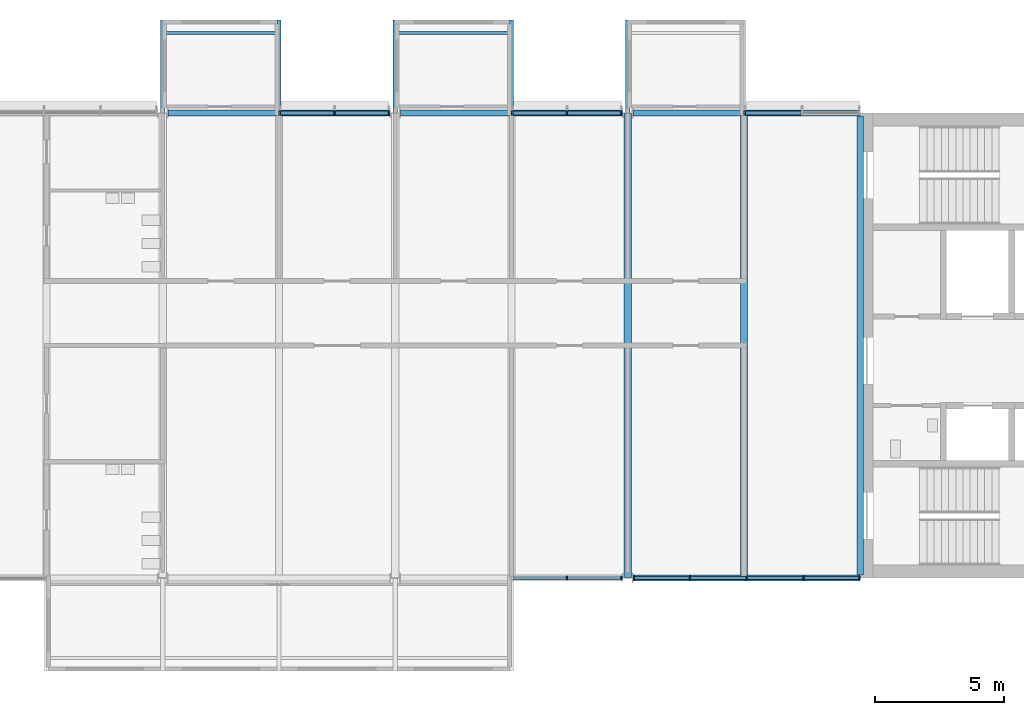
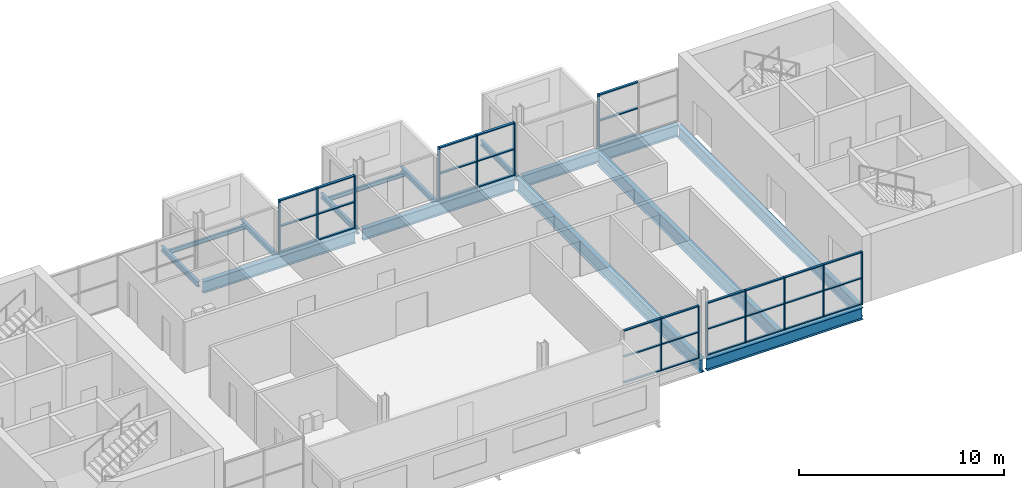
# One storey, part 2 of 11: 47 members, 14 beams, 5 elements without a shape of their own.
"""IFC4 building model written with IfcOpenShell, lengths in metres."""

from ifc_helpers import new_model, si_unit, direction, frame, origin, origin_2d, place, context, subcontext, project, spatial, rectangle, i_section, extrude, material, layer, layer_set, material_profile, profile_set, type_object, element, aggregate, save


model = new_model("IFC4")

# Units and contexts
model_context = context("Model", 3, precision=1e-05, world=origin(), true_north=direction((0.0, 1.0)))
body_context = subcontext(model_context, "Body", "Model", "MODEL_VIEW")
ifc_project = project(units=[si_unit("LENGTHUNIT", "METRE"), si_unit("AREAUNIT", "SQUARE_METRE"), si_unit("VOLUMEUNIT", "CUBIC_METRE"), si_unit("PLANEANGLEUNIT", "RADIAN"), si_unit("MASSUNIT", "GRAM", prefix="KILO")], contexts=[model_context])

# Site, building, storey
site_placement = place(None, origin())
site = spatial("IfcSite", under=ifc_project, at=site_placement, CompositionType="ELEMENT")
building_placement = place(site_placement, origin())
building = spatial("IfcBuilding", under=site, at=building_placement, Name="Corbel Yard City Hall", CompositionType="ELEMENT")
storey_placement = place(building_placement, frame((0.0, 0.0, 35.199951171875)))
storey = spatial("IfcBuildingStorey", under=building, at=storey_placement, Name="L08", CompositionType="ELEMENT", Elevation=35.199951171875)

# Beams
ifc_material_1 = material(Name="Steel Grade 350", Category="steel")
ifc_material_profile_1 = material_profile(ifc_material_1, i_section(OverallWidth=0.25, OverallDepth=0.699951171875, WebThickness=0.010009765625, FlangeThickness=0.02001953125, at=origin_2d()), Name="700WB130")
ifc_profile_set_1 = profile_set([ifc_material_profile_1], Name="Steel Grade 350")
beam_type_1 = type_object("IfcBeamType", Name="Edge beam 700WB130", PredefinedType="BEAM", material=ifc_profile_set_1)
beam_1_placement = place(storey_placement, frame((36.20703125, 99.0, -0.5), z_axis=(1.0, 0.0, 0.0), x_axis=(0.0, 1.0, 0.0)))
element("IfcBeam", 1, at=beam_1_placement, inside=storey, type_object=beam_type_1, Name="Edge beam 700WB130 EB9 L08tower", PredefinedType="BEAM", context=body_context, shape_type="SweptSolid", body=[
    extrude(i_section(OverallWidth=0.25, OverallDepth=0.699951171875, WebThickness=0.010009765625, FlangeThickness=0.02001953125, at=origin_2d()), origin(), (0.0, 0.0, 1.0), 8.79296875),
])
for number, where, z_axis, x_axis, name in (
    (2, (18.20703125, 117.0, -0.5), (1.0, 0.0, 0.0), (0.0, 1.0, 0.0), "Edge beam 700WB130 EB9 L08tower"),
    (3, (27.20703125, 117.0, -0.5), (1.0, 0.0, 0.0), (0.0, 1.0, 0.0), "Edge beam 700WB130 EB9 L08tower"),
):
    element("IfcBeam", number, at=place(storey_placement, frame(where, z_axis=z_axis, x_axis=x_axis)), inside=storey, type_object=beam_type_1, Name=name, PredefinedType="BEAM", context=body_context, shape_type="SweptSolid", body=[
        extrude(i_section(OverallWidth=0.25, OverallDepth=0.699951171875, WebThickness=0.010009765625, FlangeThickness=0.02001953125, at=origin_2d()), origin(), (0.0, 0.0, 1.0), 8.5859375),
    ])
beam_2_placement = place(storey_placement, frame((36.20703125, 117.0, -0.5), z_axis=(1.0, 0.0, 0.0), x_axis=(0.0, 1.0, 0.0)))
element("IfcBeam", 4, at=beam_2_placement, inside=storey, type_object=beam_type_1, Name="Edge beam 700WB130 EB9 L08tower", PredefinedType="BEAM", context=body_context, shape_type="SweptSolid", body=[
    extrude(i_section(OverallWidth=0.25, OverallDepth=0.699951171875, WebThickness=0.010009765625, FlangeThickness=0.02001953125, at=origin_2d()), origin(), (0.0, 0.0, 1.0), 8.79296875),
])
ifc_material_profile_2 = material_profile(ifc_material_1, i_section(OverallWidth=0.27490234375, OverallDepth=0.800048828125, WebThickness=0.010009765625, FlangeThickness=0.02001953125, at=origin_2d()), Name="800WB146")
ifc_profile_set_2 = profile_set([ifc_material_profile_2], Name="Steel Grade 350")
beam_type_2 = type_object("IfcBeamType", Name="Long-span beam 800WB146", PredefinedType="BEAM", material=ifc_profile_set_2)
beam_3_placement = place(storey_placement, frame((36.0, 99.012451171875, -0.550048828125), z_axis=(0.0, 1.0, 0.0), x_axis=(-1.0, 0.0, 0.0)))
element("IfcBeam", 5, at=beam_3_placement, inside=storey, type_object=beam_type_2, Name="Long-span beam 800WB146 SB8 L08tower", PredefinedType="BEAM", context=body_context, shape_type="SweptSolid", body=[
    extrude(i_section(OverallWidth=0.27490234375, OverallDepth=0.800048828125, WebThickness=0.010009765625, FlangeThickness=0.02001953125, at=origin_2d()), origin(), (0.0, 0.0, 1.0), 17.97509765625),
])
ifc_material_profile_3 = material_profile(ifc_material_1, i_section(OverallWidth=0.25, OverallDepth=0.7099609375, WebThickness=0.010009765625, FlangeThickness=0.02490234375, at=origin_2d()), Name="700WB150")
ifc_profile_set_3 = profile_set([ifc_material_profile_3], Name="Steel Grade 350")
beam_type_3 = type_object("IfcBeamType", Name="Long-span edge beam 700WB150", PredefinedType="BEAM", material=ifc_profile_set_3)
beam_4_placement = place(storey_placement, frame((45.0, 99.125, -0.5048828125), z_axis=(0.0, 1.0, 0.0), x_axis=(-1.0, 0.0, 0.0)))
element("IfcBeam", 6, at=beam_4_placement, inside=storey, type_object=beam_type_3, Name="Long-span edge beam 700WB150 EB8 L08tower", PredefinedType="BEAM", context=body_context, shape_type="SweptSolid", body=[
    extrude(i_section(OverallWidth=0.25, OverallDepth=0.7099609375, WebThickness=0.010009765625, FlangeThickness=0.02490234375, at=origin_2d()), origin(), (0.0, 0.0, 1.0), 17.75),
])
ifc_material_profile_4 = material_profile(ifc_material_1, i_section(OverallWidth=0.27490234375, OverallDepth=0.800048828125, WebThickness=0.010009765625, FlangeThickness=0.02001953125, at=origin_2d()), Name="800WB146")
ifc_profile_set_4 = profile_set([ifc_material_profile_4], Name="Steel Grade 350")
beam_type_4 = type_object("IfcBeamType", Name="Long-span secondary beam 800WB146", PredefinedType="JOIST", material=ifc_profile_set_4)
beam_5_placement = place(storey_placement, frame((40.5, 99.125, -0.550048828125), z_axis=(0.0, 1.0, 0.0), x_axis=(-1.0, 0.0, 0.0)))
element("IfcBeam", 7, at=beam_5_placement, inside=storey, type_object=beam_type_4, Name="Long-span secondary beam 800WB146 SB7 L08tower", PredefinedType="JOIST", context=body_context, shape_type="SweptSolid", body=[
    extrude(i_section(OverallWidth=0.27490234375, OverallDepth=0.800048828125, WebThickness=0.010009765625, FlangeThickness=0.02001953125, at=origin_2d()), origin(), (0.0, 0.0, 1.0), 17.75),
])

# Curtain wall, members
ifc_material_2 = material(Name="Aluminium extrusion", Category="aluminium")
ifc_layer_1 = layer(ifc_material_2, 0.14990234375)
ifc_layer_set_1 = layer_set([ifc_layer_1], Name="Aluminium extrusion")
curtain_wall_type_1 = type_object("IfcCurtainWallType", Name="CW2", PredefinedType="USERDEFINED", material=ifc_layer_set_1)
curtain_wall_1_placement = place(storey_placement, origin())
curtain_wall_1 = element("IfcCurtainWall", 8, at=curtain_wall_1_placement, inside=storey, type_object=curtain_wall_type_1, Name="Curtain wall CW2 L08", ObjectType="CURTAIN WALL", PredefinedType="USERDEFINED")
ifc_material_profile_5 = material_profile(ifc_material_2, rectangle(XDim=0.14990234375, YDim=0.06494140625, at=origin_2d()), Name="150x65")
ifc_profile_set_5 = profile_set([ifc_material_profile_5], Name="Aluminium extrusion")
member_type_1 = type_object("IfcMemberType", Name="ML2", PredefinedType="MULLION", material=ifc_profile_set_5)
member_1_placement = place(storey_placement, frame((33.646484375, 99.0, 0.0), z_axis=(0.0, 0.0, 1.0), x_axis=(0.0, 1.0, 0.0)))
member_1 = element("IfcMember", 9, at=member_1_placement, type_object=member_type_1, Name="CW2 mullion 2", PredefinedType="MULLION", context=body_context, shape_type="SweptSolid", body=[
    extrude(rectangle(XDim=0.14990234375, YDim=0.06494140625, at=origin_2d()), origin(), (0.0, 0.0, 1.0), 3.150146484375),
])
member_2_placement = place(storey_placement, frame((35.760498046875, 99.0, 0.0), z_axis=(0.0, 0.0, 1.0), x_axis=(0.0, 1.0, 0.0)))
member_2 = element("IfcMember", 10, at=member_2_placement, type_object=member_type_1, Name="CW2 mullion 3", PredefinedType="MULLION", context=body_context, shape_type="SweptSolid", body=[
    extrude(rectangle(XDim=0.14990234375, YDim=0.06494140625, at=origin_2d()), origin(), (0.0, 0.0, 1.0), 3.150146484375),
])

curtain_wall_2_placement = place(storey_placement, origin())
curtain_wall_2 = element("IfcCurtainWall", 11, at=curtain_wall_2_placement, inside=storey, type_object=curtain_wall_type_1, Name="Curtain wall CW2 L08", ObjectType="CURTAIN WALL", PredefinedType="USERDEFINED")
member_3_placement = place(storey_placement, frame((36.239501953125, 99.0, 0.0), z_axis=(0.0, 0.0, 1.0), x_axis=(0.0, 1.0, 0.0)))
member_3 = element("IfcMember", 12, at=member_3_placement, type_object=member_type_1, Name="CW2 mullion 1", PredefinedType="MULLION", context=body_context, shape_type="SweptSolid", body=[
    extrude(rectangle(XDim=0.14990234375, YDim=0.06494140625, at=origin_2d()), origin(), (0.0, 0.0, 1.0), 3.150146484375),
])
member_4_placement = place(storey_placement, frame((38.4052734375, 99.0, 0.0), z_axis=(0.0, 0.0, 1.0), x_axis=(0.0, 1.0, 0.0)))
member_4 = element("IfcMember", 13, at=member_4_placement, type_object=member_type_1, Name="CW2 mullion 2", PredefinedType="MULLION", context=body_context, shape_type="SweptSolid", body=[
    extrude(rectangle(XDim=0.14990234375, YDim=0.06494140625, at=origin_2d()), origin(), (0.0, 0.0, 1.0), 3.150146484375),
])
member_5_placement = place(storey_placement, frame((40.603515625, 99.0, 0.0), z_axis=(0.0, 0.0, 1.0), x_axis=(0.0, 1.0, 0.0)))
member_5 = element("IfcMember", 14, at=member_5_placement, type_object=member_type_1, Name="CW2 mullion 3", PredefinedType="MULLION", context=body_context, shape_type="SweptSolid", body=[
    extrude(rectangle(XDim=0.14990234375, YDim=0.06494140625, at=origin_2d()), origin(), (0.0, 0.0, 1.0), 3.150146484375),
])
member_6_placement = place(storey_placement, frame((42.8017578125, 99.0, 0.0), z_axis=(0.0, 0.0, 1.0), x_axis=(0.0, 1.0, 0.0)))
member_6 = element("IfcMember", 15, at=member_6_placement, type_object=member_type_1, Name="CW2 mullion 4", PredefinedType="MULLION", context=body_context, shape_type="SweptSolid", body=[
    extrude(rectangle(XDim=0.14990234375, YDim=0.06494140625, at=origin_2d()), origin(), (0.0, 0.0, 1.0), 3.150146484375),
])
member_7_placement = place(storey_placement, frame((44.967529296875, 99.0, 0.0), z_axis=(0.0, 0.0, 1.0), x_axis=(0.0, 1.0, 0.0)))
member_7 = element("IfcMember", 16, at=member_7_placement, type_object=member_type_1, Name="CW2 mullion 5", PredefinedType="MULLION", context=body_context, shape_type="SweptSolid", body=[
    extrude(rectangle(XDim=0.14990234375, YDim=0.06494140625, at=origin_2d()), origin(), (0.0, 0.0, 1.0), 3.150146484375),
])

ifc_layer_2 = layer(ifc_material_2, 0.179931640625)
ifc_layer_set_2 = layer_set([ifc_layer_2], Name="Aluminium extrusion")
curtain_wall_type_2 = type_object("IfcCurtainWallType", Name="CW6", PredefinedType="USERDEFINED", material=ifc_layer_set_2)
curtain_wall_3_placement = place(storey_placement, origin())
curtain_wall_3 = element("IfcCurtainWall", 17, at=curtain_wall_3_placement, inside=storey, type_object=curtain_wall_type_2, Name="Curtain wall CW6 L08", ObjectType="CURTAIN WALL", PredefinedType="USERDEFINED")
ifc_material_profile_6 = material_profile(ifc_material_2, rectangle(XDim=0.179931640625, YDim=0.06494140625, at=origin_2d()), Name="180x65")
ifc_profile_set_6 = profile_set([ifc_material_profile_6], Name="Aluminium extrusion")
member_type_2 = type_object("IfcMemberType", Name="ML6", PredefinedType="MULLION", material=ifc_profile_set_6)
member_8_placement = place(storey_placement, frame((22.532470703125, 117.0, 0.0), z_axis=(0.0, 0.0, 1.0), x_axis=(0.0, 1.0, 0.0)))
member_8 = element("IfcMember", 18, at=member_8_placement, type_object=member_type_2, Name="CW6 mullion 1", PredefinedType="MULLION", context=body_context, shape_type="SweptSolid", body=[
    extrude(rectangle(XDim=0.179931640625, YDim=0.06494140625, at=origin_2d()), origin(), (0.0, 0.0, 1.0), 3.150146484375),
])
member_9_placement = place(storey_placement, frame((24.646484375, 117.0, 0.0), z_axis=(0.0, 0.0, 1.0), x_axis=(0.0, 1.0, 0.0)))
member_9 = element("IfcMember", 19, at=member_9_placement, type_object=member_type_2, Name="CW6 mullion 2", PredefinedType="MULLION", context=body_context, shape_type="SweptSolid", body=[
    extrude(rectangle(XDim=0.179931640625, YDim=0.06494140625, at=origin_2d()), origin(), (0.0, 0.0, 1.0), 3.150146484375),
])
member_10_placement = place(storey_placement, frame((26.760498046875, 117.0, 0.0), z_axis=(0.0, 0.0, 1.0), x_axis=(0.0, 1.0, 0.0)))
member_10 = element("IfcMember", 20, at=member_10_placement, type_object=member_type_2, Name="CW6 mullion 3", PredefinedType="MULLION", context=body_context, shape_type="SweptSolid", body=[
    extrude(rectangle(XDim=0.179931640625, YDim=0.06494140625, at=origin_2d()), origin(), (0.0, 0.0, 1.0), 3.150146484375),
])

curtain_wall_4_placement = place(storey_placement, origin())
curtain_wall_4 = element("IfcCurtainWall", 21, at=curtain_wall_4_placement, inside=storey, type_object=curtain_wall_type_2, Name="Curtain wall CW6 L08", ObjectType="CURTAIN WALL", PredefinedType="USERDEFINED")
member_11_placement = place(storey_placement, frame((31.532470703125, 117.0, 0.0), z_axis=(0.0, 0.0, 1.0), x_axis=(0.0, 1.0, 0.0)))
member_11 = element("IfcMember", 22, at=member_11_placement, type_object=member_type_2, Name="CW6 mullion 1", PredefinedType="MULLION", context=body_context, shape_type="SweptSolid", body=[
    extrude(rectangle(XDim=0.179931640625, YDim=0.06494140625, at=origin_2d()), origin(), (0.0, 0.0, 1.0), 3.150146484375),
])
member_12_placement = place(storey_placement, frame((33.646484375, 117.0, 0.0), z_axis=(0.0, 0.0, 1.0), x_axis=(0.0, 1.0, 0.0)))
member_12 = element("IfcMember", 23, at=member_12_placement, type_object=member_type_2, Name="CW6 mullion 2", PredefinedType="MULLION", context=body_context, shape_type="SweptSolid", body=[
    extrude(rectangle(XDim=0.179931640625, YDim=0.06494140625, at=origin_2d()), origin(), (0.0, 0.0, 1.0), 3.150146484375),
])
member_13_placement = place(storey_placement, frame((35.760498046875, 117.0, 0.0), z_axis=(0.0, 0.0, 1.0), x_axis=(0.0, 1.0, 0.0)))
member_13 = element("IfcMember", 24, at=member_13_placement, type_object=member_type_2, Name="CW6 mullion 3", PredefinedType="MULLION", context=body_context, shape_type="SweptSolid", body=[
    extrude(rectangle(XDim=0.179931640625, YDim=0.06494140625, at=origin_2d()), origin(), (0.0, 0.0, 1.0), 3.150146484375),
])

# Curtain wall, member
curtain_wall_5_placement = place(storey_placement, origin())
curtain_wall_5 = element("IfcCurtainWall", 25, at=curtain_wall_5_placement, inside=storey, type_object=curtain_wall_type_2, Name="Curtain wall CW6 L08", ObjectType="CURTAIN WALL", PredefinedType="USERDEFINED")
member_14_placement = place(storey_placement, frame((40.532470703125, 117.0, 0.0), z_axis=(0.0, 0.0, 1.0), x_axis=(0.0, 1.0, 0.0)))
member_14 = element("IfcMember", 26, at=member_14_placement, type_object=member_type_2, Name="CW6 mullion 1", PredefinedType="MULLION", context=body_context, shape_type="SweptSolid", body=[
    extrude(rectangle(XDim=0.179931640625, YDim=0.06494140625, at=origin_2d()), origin(), (0.0, 0.0, 1.0), 3.150146484375),
])

# Beams
ifc_material_3 = material(Name="Steel Grade 300 (300 MPa yield)", Category="steel")
ifc_material_profile_7 = material_profile(ifc_material_3, i_section(OverallWidth=0.166015625, OverallDepth=0.306884765625, WebThickness=0.006591796875, FlangeThickness=0.01171875, at=origin_2d()), Name="310UB46.2")
ifc_profile_set_7 = profile_set([ifc_material_profile_7], Name="Steel Grade 300 (300 MPa yield)")
beam_type_5 = type_object("IfcBeamType", Name="Pod stub beam 310UB46.2", PredefinedType="BEAM", material=ifc_profile_set_7)
beam_6_placement = place(storey_placement, frame((18.0, 117.012451171875, -0.303466796875), z_axis=(0.0, 1.0, 0.0), x_axis=(-1.0, 0.0, 0.0)))
element("IfcBeam", 27, at=beam_6_placement, inside=storey, type_object=beam_type_5, Name="Pod stub 310UB46.2 CB1 L08", PredefinedType="BEAM", context=body_context, shape_type="SweptSolid", body=[
    extrude(i_section(OverallWidth=0.166015625, OverallDepth=0.306884765625, WebThickness=0.006591796875, FlangeThickness=0.01171875, at=origin_2d()), origin(), (0.0, 0.0, 1.0), 3.587646484375),
])
beam_7_placement = place(storey_placement, frame((22.5, 117.125, -0.303466796875), z_axis=(0.0, 1.0, 0.0), x_axis=(-1.0, 0.0, 0.0)))
element("IfcBeam", 28, at=beam_7_placement, inside=storey, type_object=beam_type_5, Name="Pod stub 310UB46.2 CB1 L08", PredefinedType="BEAM", context=body_context, shape_type="SweptSolid", body=[
    extrude(i_section(OverallWidth=0.166015625, OverallDepth=0.306884765625, WebThickness=0.006591796875, FlangeThickness=0.01171875, at=origin_2d()), origin(), (0.0, 0.0, 1.0), 3.47509765625),
])
beam_8_placement = place(storey_placement, frame((27.0, 117.012451171875, -0.303466796875), z_axis=(0.0, 1.0, 0.0), x_axis=(-1.0, 0.0, 0.0)))
element("IfcBeam", 29, at=beam_8_placement, inside=storey, type_object=beam_type_5, Name="Pod stub 310UB46.2 CB1 L08", PredefinedType="BEAM", context=body_context, shape_type="SweptSolid", body=[
    extrude(i_section(OverallWidth=0.166015625, OverallDepth=0.306884765625, WebThickness=0.006591796875, FlangeThickness=0.01171875, at=origin_2d()), origin(), (0.0, 0.0, 1.0), 3.587646484375),
])
beam_9_placement = place(storey_placement, frame((31.5, 117.125, -0.303466796875), z_axis=(0.0, 1.0, 0.0), x_axis=(-1.0, 0.0, 0.0)))
element("IfcBeam", 30, at=beam_9_placement, inside=storey, type_object=beam_type_5, Name="Pod stub 310UB46.2 CB1 L08", PredefinedType="BEAM", context=body_context, shape_type="SweptSolid", body=[
    extrude(i_section(OverallWidth=0.166015625, OverallDepth=0.306884765625, WebThickness=0.006591796875, FlangeThickness=0.01171875, at=origin_2d()), origin(), (0.0, 0.0, 1.0), 3.47509765625),
])
beam_10_placement = place(storey_placement, frame((36.0, 117.012451171875, -0.303466796875), z_axis=(0.0, 1.0, 0.0), x_axis=(-1.0, 0.0, 0.0)))
element("IfcBeam", 31, at=beam_10_placement, inside=storey, type_object=beam_type_5, Name="Pod stub 310UB46.2 CB1 L08", PredefinedType="BEAM", context=body_context, shape_type="SweptSolid", body=[
    extrude(i_section(OverallWidth=0.166015625, OverallDepth=0.306884765625, WebThickness=0.006591796875, FlangeThickness=0.01171875, at=origin_2d()), origin(), (0.0, 0.0, 1.0), 3.587646484375),
])
ifc_material_profile_8 = material_profile(ifc_material_3, i_section(OverallWidth=0.1240234375, OverallDepth=0.248046875, WebThickness=0.0048828125, FlangeThickness=0.008056640625, at=origin_2d()), Name="250UB25.7")
ifc_profile_set_8 = profile_set([ifc_material_profile_8], Name="Steel Grade 300 (300 MPa yield)")
beam_type_6 = type_object("IfcBeamType", Name="Pod tip beam", PredefinedType="BEAM", material=ifc_profile_set_8)
for number, where, z_axis, x_axis, name in (
    (32, (18.0830078125, 120.10009765625, -0.27392578125), (1.0, 0.0, 0.0), (0.0, 1.0, 0.0), "Pod tip beam"),
    (33, (27.0830078125, 120.10009765625, -0.27392578125), (1.0, 0.0, 0.0), (0.0, 1.0, 0.0), "Pod tip beam"),
):
    element("IfcBeam", number, at=place(storey_placement, frame(where, z_axis=z_axis, x_axis=x_axis)), inside=storey, type_object=beam_type_6, Name=name, PredefinedType="BEAM", context=body_context, shape_type="SweptSolid", body=[
        extrude(i_section(OverallWidth=0.1240234375, OverallDepth=0.248046875, WebThickness=0.0048828125, FlangeThickness=0.008056640625, at=origin_2d()), origin(), (0.0, 0.0, 1.0), 4.333984375),
    ])

# Member
ifc_material_profile_9 = material_profile(ifc_material_2, rectangle(XDim=0.1201171875, YDim=0.06494140625, at=origin_2d()), Name="120x65")
ifc_profile_set_9 = profile_set([ifc_material_profile_9], Name="Aluminium extrusion")
member_type_3 = type_object("IfcMemberType", Name="TR2", PredefinedType="USERDEFINED", material=ifc_profile_set_9)
member_15_placement = place(storey_placement, frame((31.56494140625, 99.0, 0.032470703125), z_axis=(1.0, 0.0, 0.0), x_axis=(0.0, 1.0, 0.0)))
member_15 = element("IfcMember", 34, at=member_15_placement, type_object=member_type_3, Name="CW2 transom 1.1", ObjectType="TRANSOM", PredefinedType="USERDEFINED", context=body_context, shape_type="SweptSolid", body=[
    extrude(rectangle(XDim=0.1201171875, YDim=0.06494140625, at=origin_2d()), origin(), (0.0, 0.0, 1.0), 2.049072265625),
])

member_16_placement = place(storey_placement, frame((31.56494140625, 99.0, 1.574951171875), z_axis=(1.0, 0.0, 0.0), x_axis=(0.0, 1.0, 0.0)))
member_16 = element("IfcMember", 35, at=member_16_placement, type_object=member_type_3, Name="CW2 transom 1.2", ObjectType="TRANSOM", PredefinedType="USERDEFINED", context=body_context, shape_type="SweptSolid", body=[
    extrude(rectangle(XDim=0.1201171875, YDim=0.06494140625, at=origin_2d()), origin(), (0.0, 0.0, 1.0), 2.049072265625),
])

member_17_placement = place(storey_placement, frame((31.56494140625, 99.0, 3.117431640625), z_axis=(1.0, 0.0, 0.0), x_axis=(0.0, 1.0, 0.0)))
member_17 = element("IfcMember", 36, at=member_17_placement, type_object=member_type_3, Name="CW2 transom 1.3", ObjectType="TRANSOM", PredefinedType="USERDEFINED", context=body_context, shape_type="SweptSolid", body=[
    extrude(rectangle(XDim=0.1201171875, YDim=0.06494140625, at=origin_2d()), origin(), (0.0, 0.0, 1.0), 2.049072265625),
])

member_18_placement = place(storey_placement, frame((33.678955078125, 99.0, 0.032470703125), z_axis=(1.0, 0.0, 0.0), x_axis=(0.0, 1.0, 0.0)))
member_18 = element("IfcMember", 37, at=member_18_placement, type_object=member_type_3, Name="CW2 transom 2.1", ObjectType="TRANSOM", PredefinedType="USERDEFINED", context=body_context, shape_type="SweptSolid", body=[
    extrude(rectangle(XDim=0.1201171875, YDim=0.06494140625, at=origin_2d()), origin(), (0.0, 0.0, 1.0), 2.049072265625),
])

member_19_placement = place(storey_placement, frame((33.678955078125, 99.0, 1.574951171875), z_axis=(1.0, 0.0, 0.0), x_axis=(0.0, 1.0, 0.0)))
member_19 = element("IfcMember", 38, at=member_19_placement, type_object=member_type_3, Name="CW2 transom 2.2", ObjectType="TRANSOM", PredefinedType="USERDEFINED", context=body_context, shape_type="SweptSolid", body=[
    extrude(rectangle(XDim=0.1201171875, YDim=0.06494140625, at=origin_2d()), origin(), (0.0, 0.0, 1.0), 2.049072265625),
])

member_20_placement = place(storey_placement, frame((33.678955078125, 99.0, 3.117431640625), z_axis=(1.0, 0.0, 0.0), x_axis=(0.0, 1.0, 0.0)))
member_20 = element("IfcMember", 39, at=member_20_placement, type_object=member_type_3, Name="CW2 transom 2.3", ObjectType="TRANSOM", PredefinedType="USERDEFINED", context=body_context, shape_type="SweptSolid", body=[
    extrude(rectangle(XDim=0.1201171875, YDim=0.06494140625, at=origin_2d()), origin(), (0.0, 0.0, 1.0), 2.049072265625),
])

aggregate(curtain_wall_1, [member_1, member_2, member_15, member_16, member_17, member_18, member_19, member_20])

member_21_placement = place(storey_placement, frame((36.27197265625, 99.0, 0.032470703125), z_axis=(1.0, 0.0, 0.0), x_axis=(0.0, 1.0, 0.0)))
member_21 = element("IfcMember", 40, at=member_21_placement, type_object=member_type_3, Name="CW2 transom 1.1", ObjectType="TRANSOM", PredefinedType="USERDEFINED", context=body_context, shape_type="SweptSolid", body=[
    extrude(rectangle(XDim=0.1201171875, YDim=0.06494140625, at=origin_2d()), origin(), (0.0, 0.0, 1.0), 2.100830078125),
])

member_22_placement = place(storey_placement, frame((36.27197265625, 99.0, 1.574951171875), z_axis=(1.0, 0.0, 0.0), x_axis=(0.0, 1.0, 0.0)))
member_22 = element("IfcMember", 41, at=member_22_placement, type_object=member_type_3, Name="CW2 transom 1.2", ObjectType="TRANSOM", PredefinedType="USERDEFINED", context=body_context, shape_type="SweptSolid", body=[
    extrude(rectangle(XDim=0.1201171875, YDim=0.06494140625, at=origin_2d()), origin(), (0.0, 0.0, 1.0), 2.100830078125),
])

member_23_placement = place(storey_placement, frame((36.27197265625, 99.0, 3.117431640625), z_axis=(1.0, 0.0, 0.0), x_axis=(0.0, 1.0, 0.0)))
member_23 = element("IfcMember", 42, at=member_23_placement, type_object=member_type_3, Name="CW2 transom 1.3", ObjectType="TRANSOM", PredefinedType="USERDEFINED", context=body_context, shape_type="SweptSolid", body=[
    extrude(rectangle(XDim=0.1201171875, YDim=0.06494140625, at=origin_2d()), origin(), (0.0, 0.0, 1.0), 2.100830078125),
])

member_24_placement = place(storey_placement, frame((38.437744140625, 99.0, 0.032470703125), z_axis=(1.0, 0.0, 0.0), x_axis=(0.0, 1.0, 0.0)))
member_24 = element("IfcMember", 43, at=member_24_placement, type_object=member_type_3, Name="CW2 transom 2.1", ObjectType="TRANSOM", PredefinedType="USERDEFINED", context=body_context, shape_type="SweptSolid", body=[
    extrude(rectangle(XDim=0.1201171875, YDim=0.06494140625, at=origin_2d()), origin(), (0.0, 0.0, 1.0), 2.13330078125),
])

member_25_placement = place(storey_placement, frame((38.437744140625, 99.0, 1.574951171875), z_axis=(1.0, 0.0, 0.0), x_axis=(0.0, 1.0, 0.0)))
member_25 = element("IfcMember", 44, at=member_25_placement, type_object=member_type_3, Name="CW2 transom 2.2", ObjectType="TRANSOM", PredefinedType="USERDEFINED", context=body_context, shape_type="SweptSolid", body=[
    extrude(rectangle(XDim=0.1201171875, YDim=0.06494140625, at=origin_2d()), origin(), (0.0, 0.0, 1.0), 2.13330078125),
])

member_26_placement = place(storey_placement, frame((38.437744140625, 99.0, 3.117431640625), z_axis=(1.0, 0.0, 0.0), x_axis=(0.0, 1.0, 0.0)))
member_26 = element("IfcMember", 45, at=member_26_placement, type_object=member_type_3, Name="CW2 transom 2.3", ObjectType="TRANSOM", PredefinedType="USERDEFINED", context=body_context, shape_type="SweptSolid", body=[
    extrude(rectangle(XDim=0.1201171875, YDim=0.06494140625, at=origin_2d()), origin(), (0.0, 0.0, 1.0), 2.13330078125),
])

member_27_placement = place(storey_placement, frame((40.635986328125, 99.0, 0.032470703125), z_axis=(1.0, 0.0, 0.0), x_axis=(0.0, 1.0, 0.0)))
member_27 = element("IfcMember", 46, at=member_27_placement, type_object=member_type_3, Name="CW2 transom 3.1", ObjectType="TRANSOM", PredefinedType="USERDEFINED", context=body_context, shape_type="SweptSolid", body=[
    extrude(rectangle(XDim=0.1201171875, YDim=0.06494140625, at=origin_2d()), origin(), (0.0, 0.0, 1.0), 2.13330078125),
])

member_28_placement = place(storey_placement, frame((40.635986328125, 99.0, 1.574951171875), z_axis=(1.0, 0.0, 0.0), x_axis=(0.0, 1.0, 0.0)))
member_28 = element("IfcMember", 47, at=member_28_placement, type_object=member_type_3, Name="CW2 transom 3.2", ObjectType="TRANSOM", PredefinedType="USERDEFINED", context=body_context, shape_type="SweptSolid", body=[
    extrude(rectangle(XDim=0.1201171875, YDim=0.06494140625, at=origin_2d()), origin(), (0.0, 0.0, 1.0), 2.13330078125),
])

member_29_placement = place(storey_placement, frame((40.635986328125, 99.0, 3.117431640625), z_axis=(1.0, 0.0, 0.0), x_axis=(0.0, 1.0, 0.0)))
member_29 = element("IfcMember", 48, at=member_29_placement, type_object=member_type_3, Name="CW2 transom 3.3", ObjectType="TRANSOM", PredefinedType="USERDEFINED", context=body_context, shape_type="SweptSolid", body=[
    extrude(rectangle(XDim=0.1201171875, YDim=0.06494140625, at=origin_2d()), origin(), (0.0, 0.0, 1.0), 2.13330078125),
])

member_30_placement = place(storey_placement, frame((42.834228515625, 99.0, 0.032470703125), z_axis=(1.0, 0.0, 0.0), x_axis=(0.0, 1.0, 0.0)))
member_30 = element("IfcMember", 49, at=member_30_placement, type_object=member_type_3, Name="CW2 transom 4.1", ObjectType="TRANSOM", PredefinedType="USERDEFINED", context=body_context, shape_type="SweptSolid", body=[
    extrude(rectangle(XDim=0.1201171875, YDim=0.06494140625, at=origin_2d()), origin(), (0.0, 0.0, 1.0), 2.100830078125),
])

member_31_placement = place(storey_placement, frame((42.834228515625, 99.0, 1.574951171875), z_axis=(1.0, 0.0, 0.0), x_axis=(0.0, 1.0, 0.0)))
member_31 = element("IfcMember", 50, at=member_31_placement, type_object=member_type_3, Name="CW2 transom 4.2", ObjectType="TRANSOM", PredefinedType="USERDEFINED", context=body_context, shape_type="SweptSolid", body=[
    extrude(rectangle(XDim=0.1201171875, YDim=0.06494140625, at=origin_2d()), origin(), (0.0, 0.0, 1.0), 2.100830078125),
])

member_32_placement = place(storey_placement, frame((42.834228515625, 99.0, 3.117431640625), z_axis=(1.0, 0.0, 0.0), x_axis=(0.0, 1.0, 0.0)))
member_32 = element("IfcMember", 51, at=member_32_placement, type_object=member_type_3, Name="CW2 transom 4.3", ObjectType="TRANSOM", PredefinedType="USERDEFINED", context=body_context, shape_type="SweptSolid", body=[
    extrude(rectangle(XDim=0.1201171875, YDim=0.06494140625, at=origin_2d()), origin(), (0.0, 0.0, 1.0), 2.100830078125),
])

aggregate(curtain_wall_2, [member_3, member_4, member_5, member_6, member_7, member_21, member_22, member_23, member_24, member_25, member_26, member_27, member_28, member_29, member_30, member_31, member_32])

ifc_material_profile_10 = material_profile(ifc_material_2, rectangle(XDim=0.139892578125, YDim=0.06494140625, at=origin_2d()), Name="140x65")
ifc_profile_set_10 = profile_set([ifc_material_profile_10], Name="Aluminium extrusion")
member_type_4 = type_object("IfcMemberType", Name="TR6", PredefinedType="USERDEFINED", material=ifc_profile_set_10)
member_33_placement = place(storey_placement, frame((22.56494140625, 117.0, 0.032470703125), z_axis=(1.0, 0.0, 0.0), x_axis=(0.0, 1.0, 0.0)))
member_33 = element("IfcMember", 52, at=member_33_placement, type_object=member_type_4, Name="CW6 transom 1.1", ObjectType="TRANSOM", PredefinedType="USERDEFINED", context=body_context, shape_type="SweptSolid", body=[
    extrude(rectangle(XDim=0.139892578125, YDim=0.06494140625, at=origin_2d()), origin(), (0.0, 0.0, 1.0), 2.049072265625),
])

member_34_placement = place(storey_placement, frame((22.56494140625, 117.0, 1.574951171875), z_axis=(1.0, 0.0, 0.0), x_axis=(0.0, 1.0, 0.0)))
member_34 = element("IfcMember", 53, at=member_34_placement, type_object=member_type_4, Name="CW6 transom 1.2", ObjectType="TRANSOM", PredefinedType="USERDEFINED", context=body_context, shape_type="SweptSolid", body=[
    extrude(rectangle(XDim=0.139892578125, YDim=0.06494140625, at=origin_2d()), origin(), (0.0, 0.0, 1.0), 2.049072265625),
])

member_35_placement = place(storey_placement, frame((22.56494140625, 117.0, 3.117431640625), z_axis=(1.0, 0.0, 0.0), x_axis=(0.0, 1.0, 0.0)))
member_35 = element("IfcMember", 54, at=member_35_placement, type_object=member_type_4, Name="CW6 transom 1.3", ObjectType="TRANSOM", PredefinedType="USERDEFINED", context=body_context, shape_type="SweptSolid", body=[
    extrude(rectangle(XDim=0.139892578125, YDim=0.06494140625, at=origin_2d()), origin(), (0.0, 0.0, 1.0), 2.049072265625),
])

member_36_placement = place(storey_placement, frame((24.678955078125, 117.0, 0.032470703125), z_axis=(1.0, 0.0, 0.0), x_axis=(0.0, 1.0, 0.0)))
member_36 = element("IfcMember", 55, at=member_36_placement, type_object=member_type_4, Name="CW6 transom 2.1", ObjectType="TRANSOM", PredefinedType="USERDEFINED", context=body_context, shape_type="SweptSolid", body=[
    extrude(rectangle(XDim=0.139892578125, YDim=0.06494140625, at=origin_2d()), origin(), (0.0, 0.0, 1.0), 2.049072265625),
])

member_37_placement = place(storey_placement, frame((24.678955078125, 117.0, 1.574951171875), z_axis=(1.0, 0.0, 0.0), x_axis=(0.0, 1.0, 0.0)))
member_37 = element("IfcMember", 56, at=member_37_placement, type_object=member_type_4, Name="CW6 transom 2.2", ObjectType="TRANSOM", PredefinedType="USERDEFINED", context=body_context, shape_type="SweptSolid", body=[
    extrude(rectangle(XDim=0.139892578125, YDim=0.06494140625, at=origin_2d()), origin(), (0.0, 0.0, 1.0), 2.049072265625),
])

member_38_placement = place(storey_placement, frame((24.678955078125, 117.0, 3.117431640625), z_axis=(1.0, 0.0, 0.0), x_axis=(0.0, 1.0, 0.0)))
member_38 = element("IfcMember", 57, at=member_38_placement, type_object=member_type_4, Name="CW6 transom 2.3", ObjectType="TRANSOM", PredefinedType="USERDEFINED", context=body_context, shape_type="SweptSolid", body=[
    extrude(rectangle(XDim=0.139892578125, YDim=0.06494140625, at=origin_2d()), origin(), (0.0, 0.0, 1.0), 2.049072265625),
])

aggregate(curtain_wall_3, [member_8, member_9, member_10, member_33, member_34, member_35, member_36, member_37, member_38])

member_39_placement = place(storey_placement, frame((31.56494140625, 117.0, 0.032470703125), z_axis=(1.0, 0.0, 0.0), x_axis=(0.0, 1.0, 0.0)))
member_39 = element("IfcMember", 58, at=member_39_placement, type_object=member_type_4, Name="CW6 transom 1.1", ObjectType="TRANSOM", PredefinedType="USERDEFINED", context=body_context, shape_type="SweptSolid", body=[
    extrude(rectangle(XDim=0.139892578125, YDim=0.06494140625, at=origin_2d()), origin(), (0.0, 0.0, 1.0), 2.049072265625),
])

member_40_placement = place(storey_placement, frame((31.56494140625, 117.0, 1.574951171875), z_axis=(1.0, 0.0, 0.0), x_axis=(0.0, 1.0, 0.0)))
member_40 = element("IfcMember", 59, at=member_40_placement, type_object=member_type_4, Name="CW6 transom 1.2", ObjectType="TRANSOM", PredefinedType="USERDEFINED", context=body_context, shape_type="SweptSolid", body=[
    extrude(rectangle(XDim=0.139892578125, YDim=0.06494140625, at=origin_2d()), origin(), (0.0, 0.0, 1.0), 2.049072265625),
])

member_41_placement = place(storey_placement, frame((31.56494140625, 117.0, 3.117431640625), z_axis=(1.0, 0.0, 0.0), x_axis=(0.0, 1.0, 0.0)))
member_41 = element("IfcMember", 60, at=member_41_placement, type_object=member_type_4, Name="CW6 transom 1.3", ObjectType="TRANSOM", PredefinedType="USERDEFINED", context=body_context, shape_type="SweptSolid", body=[
    extrude(rectangle(XDim=0.139892578125, YDim=0.06494140625, at=origin_2d()), origin(), (0.0, 0.0, 1.0), 2.049072265625),
])

member_42_placement = place(storey_placement, frame((33.678955078125, 117.0, 0.032470703125), z_axis=(1.0, 0.0, 0.0), x_axis=(0.0, 1.0, 0.0)))
member_42 = element("IfcMember", 61, at=member_42_placement, type_object=member_type_4, Name="CW6 transom 2.1", ObjectType="TRANSOM", PredefinedType="USERDEFINED", context=body_context, shape_type="SweptSolid", body=[
    extrude(rectangle(XDim=0.139892578125, YDim=0.06494140625, at=origin_2d()), origin(), (0.0, 0.0, 1.0), 2.049072265625),
])

member_43_placement = place(storey_placement, frame((33.678955078125, 117.0, 1.574951171875), z_axis=(1.0, 0.0, 0.0), x_axis=(0.0, 1.0, 0.0)))
member_43 = element("IfcMember", 62, at=member_43_placement, type_object=member_type_4, Name="CW6 transom 2.2", ObjectType="TRANSOM", PredefinedType="USERDEFINED", context=body_context, shape_type="SweptSolid", body=[
    extrude(rectangle(XDim=0.139892578125, YDim=0.06494140625, at=origin_2d()), origin(), (0.0, 0.0, 1.0), 2.049072265625),
])

member_44_placement = place(storey_placement, frame((33.678955078125, 117.0, 3.117431640625), z_axis=(1.0, 0.0, 0.0), x_axis=(0.0, 1.0, 0.0)))
member_44 = element("IfcMember", 63, at=member_44_placement, type_object=member_type_4, Name="CW6 transom 2.3", ObjectType="TRANSOM", PredefinedType="USERDEFINED", context=body_context, shape_type="SweptSolid", body=[
    extrude(rectangle(XDim=0.139892578125, YDim=0.06494140625, at=origin_2d()), origin(), (0.0, 0.0, 1.0), 2.049072265625),
])

aggregate(curtain_wall_4, [member_11, member_12, member_13, member_39, member_40, member_41, member_42, member_43, member_44])

member_45_placement = place(storey_placement, frame((40.56494140625, 117.0, 0.032470703125), z_axis=(1.0, 0.0, 0.0), x_axis=(0.0, 1.0, 0.0)))
member_45 = element("IfcMember", 64, at=member_45_placement, type_object=member_type_4, Name="CW6 transom 1.1", ObjectType="TRANSOM", PredefinedType="USERDEFINED", context=body_context, shape_type="SweptSolid", body=[
    extrude(rectangle(XDim=0.139892578125, YDim=0.06494140625, at=origin_2d()), origin(), (0.0, 0.0, 1.0), 2.152587890625),
])

member_46_placement = place(storey_placement, frame((40.56494140625, 117.0, 1.574951171875), z_axis=(1.0, 0.0, 0.0), x_axis=(0.0, 1.0, 0.0)))
member_46 = element("IfcMember", 65, at=member_46_placement, type_object=member_type_4, Name="CW6 transom 1.2", ObjectType="TRANSOM", PredefinedType="USERDEFINED", context=body_context, shape_type="SweptSolid", body=[
    extrude(rectangle(XDim=0.139892578125, YDim=0.06494140625, at=origin_2d()), origin(), (0.0, 0.0, 1.0), 2.152587890625),
])

member_47_placement = place(storey_placement, frame((40.56494140625, 117.0, 3.117431640625), z_axis=(1.0, 0.0, 0.0), x_axis=(0.0, 1.0, 0.0)))
member_47 = element("IfcMember", 66, at=member_47_placement, type_object=member_type_4, Name="CW6 transom 1.3", ObjectType="TRANSOM", PredefinedType="USERDEFINED", context=body_context, shape_type="SweptSolid", body=[
    extrude(rectangle(XDim=0.139892578125, YDim=0.06494140625, at=origin_2d()), origin(), (0.0, 0.0, 1.0), 2.152587890625),
])

aggregate(curtain_wall_5, [member_14, member_45, member_46, member_47])

save(model, "model.ifc")
